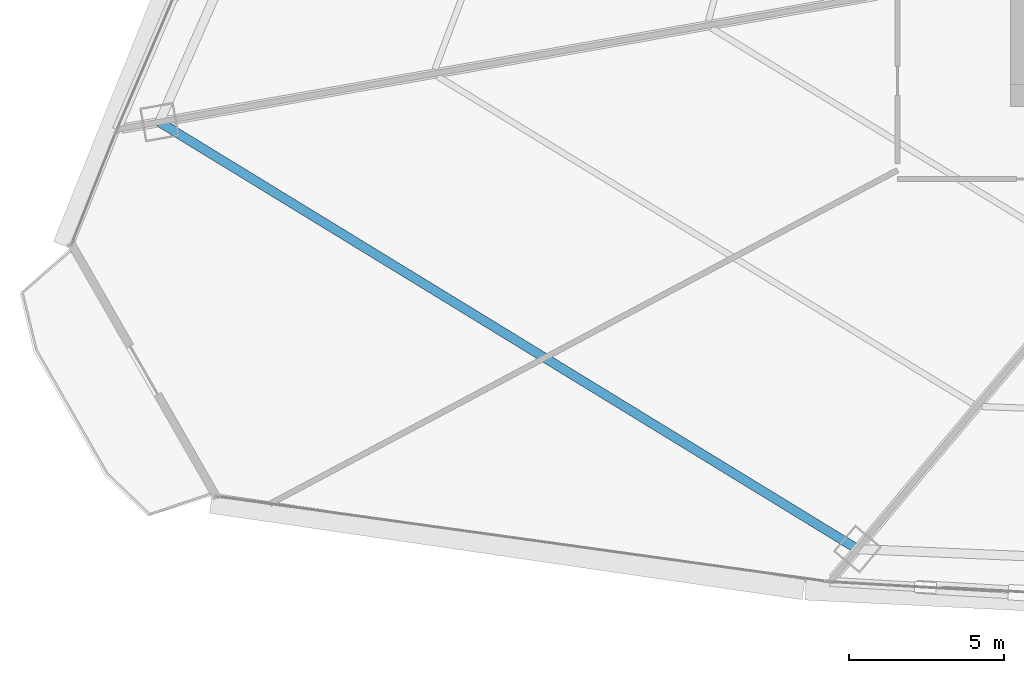
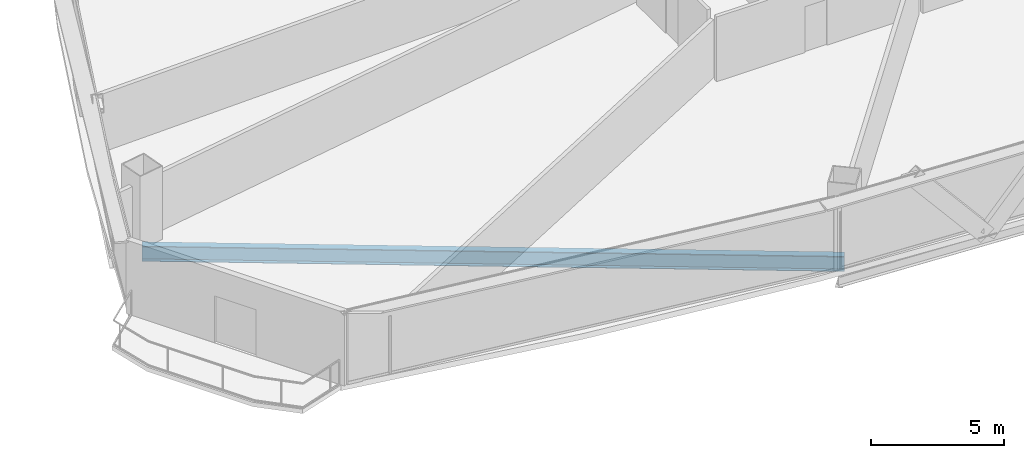
# One storey, part 5 of 37: 1 beam.
"""IFC4 building model written with IfcOpenShell, lengths in metres."""

import ifcopenshell
import ifcopenshell.guid

model = None  # the IFC model being written
_history = None  # IfcOwnerHistory: only IFC2X3 demands one
_inside = {}  # id of a spatial element -> (the spatial element, [elements in it])
_under = {}  # id of a project, library or spatial element -> (it, [spatial elements below it])
_declared = {}  # id of a project -> (the project, [libraries it declares])
_typed = {}  # id of a type object -> (the type object, [elements of that type])
_made_of = {}  # id of a material, layer set ... -> (it, [elements and type objects made of it])


def new_model(schema):
    """Start an empty IFC model of exactly this schema.

    Asked for "IFC4X3", IfcOpenShell would pick the latest addendum, in which some entities
    have other attributes; the version numbers below select the first issue.
    IFC2X3 requires an IfcOwnerHistory on every rooted entity: one is made here for all.
    """
    global model, _history
    if schema == "IFC4X3":
        model = ifcopenshell.file(schema_version=(4, 3, 0, 0))
    else:
        model = ifcopenshell.file(schema=schema)
    _inside.clear()
    _under.clear()
    _declared.clear()
    _typed.clear()
    _made_of.clear()
    _history = None
    if model.schema == "IFC2X3":
        org = make("IfcOrganization", Name="unknown")
        user = make(
            "IfcPersonAndOrganization",
            ThePerson=make("IfcPerson", FamilyName="unknown"),
            TheOrganization=org,
        )
        app = make(
            "IfcApplication",
            ApplicationDeveloper=org,
            Version="unknown",
            ApplicationFullName="unknown",
            ApplicationIdentifier="unknown",
        )
        _history = make(
            "IfcOwnerHistory",
            OwningUser=user,
            OwningApplication=app,
            ChangeAction="ADDED",
            CreationDate=0,
        )
    return model


def make(cls, **values):
    """One entity of the class cls with the attributes given. An attribute that is None is left unset."""
    return model.create_entity(
        cls, **{name: value for name, value in values.items() if value is not None}
    )


def rooted(cls, **values):
    """An entity with a GlobalId (a new one), such as an element, a storey or a relation."""
    return make(cls, GlobalId=ifcopenshell.guid.new(), OwnerHistory=_history, **values)


def si_unit(unit_type, name, prefix=None):
    """IfcSIUnit, for example si_unit("LENGTHUNIT", "METRE", prefix="MILLI")."""
    return make("IfcSIUnit", UnitType=unit_type, Prefix=prefix, Name=name)


def assignment(units):
    """IfcUnitAssignment: the units of a project."""
    return None if units is None else make("IfcUnitAssignment", Units=units)


def point(xyz):
    """IfcCartesianPoint."""
    return None if xyz is None else make("IfcCartesianPoint", Coordinates=xyz)


def direction(xyz):
    """IfcDirection."""
    return None if xyz is None else make("IfcDirection", DirectionRatios=xyz)


def frame(location, z_axis=None, x_axis=None):
    """IfcAxis2Placement3D, a coordinate frame: its origin and axes. An axis left out is left unset."""
    return make(
        "IfcAxis2Placement3D",
        Location=point(location),
        Axis=direction(z_axis),
        RefDirection=direction(x_axis),
    )


def frame_2d(location, x_axis=None):
    """IfcAxis2Placement2D, a coordinate frame in the plane: its origin and x axis."""
    return make(
        "IfcAxis2Placement2D", Location=point(location), RefDirection=direction(x_axis)
    )


def origin():
    """The frame at (0, 0, 0) with its axes left unset."""
    return frame((0.0, 0.0, 0.0))


def origin_2d():
    """The frame at (0, 0) in the plane with its x axis left unset."""
    return frame_2d((0.0, 0.0))


def place(relative_to, where):
    """IfcLocalPlacement: puts the frame where relative to a parent placement (None: the world)."""
    return make(
        "IfcLocalPlacement", PlacementRelTo=relative_to, RelativePlacement=where
    )


def context(
    kind, dimensions, precision=None, world=None, true_north=None, identifier=None
):
    """IfcGeometricRepresentationContext, for example the 3D "Model" context."""
    return make(
        "IfcGeometricRepresentationContext",
        ContextIdentifier=identifier,
        ContextType=kind,
        CoordinateSpaceDimension=dimensions,
        Precision=precision,
        WorldCoordinateSystem=world,
        TrueNorth=true_north,
    )


def subcontext(parent, identifier, kind, view, scale=None):
    """IfcGeometricRepresentationSubContext, for example "Body" below "Model"."""
    return make(
        "IfcGeometricRepresentationSubContext",
        ContextIdentifier=identifier,
        ContextType=kind,
        ParentContext=parent,
        TargetScale=scale,
        TargetView=view,
    )


def project(units=None, contexts=None):
    """IfcProject with its units and contexts."""
    return rooted(
        "IfcProject",
        Name="project",
        RepresentationContexts=contexts,
        UnitsInContext=assignment(units),
    )


def spatial(cls, under=None, at=None, **own):
    """A site, building, storey or space (cls), placed at a placement, below another one or the project."""
    s = rooted(cls, ObjectPlacement=at, **own)
    if under is not None:
        _under.setdefault(under.id(), (under, []))[1].append(s)
    return s


def profile(cls, at=None, kind="AREA", **sizes):
    """A parametric profile (cls). Its sizes go by their IFC names, for example OverallWidth=200.0."""
    return make(cls, ProfileType=kind, Position=at, **sizes)


def i_section(**sizes):
    """IfcIShapeProfileDef."""
    return profile("IfcIShapeProfileDef", **sizes)


def extrude(swept, where, along, depth):
    """IfcExtrudedAreaSolid: the profile swept, set in the frame where, extruded along a direction by depth."""
    return make(
        "IfcExtrudedAreaSolid",
        SweptArea=swept,
        Position=where,
        ExtrudedDirection=direction(along),
        Depth=depth,
    )


def shape(context_of_items, identifier, shape_type, items):
    """IfcShapeRepresentation: the items that make up one representation, for example the "Body"."""
    return make(
        "IfcShapeRepresentation",
        ContextOfItems=context_of_items,
        RepresentationIdentifier=identifier,
        RepresentationType=shape_type,
        Items=items,
    )


def source(mapping_origin, context_of_items, identifier, shape_type, items):
    """IfcRepresentationMap: a shape defined once, which mapped items show again and again."""
    return make(
        "IfcRepresentationMap",
        MappingOrigin=mapping_origin,
        MappedRepresentation=shape(context_of_items, identifier, shape_type, items),
    )


def transform(
    local_origin,
    x_axis=None,
    y_axis=None,
    z_axis=None,
    scale=None,
    scale2=None,
    scale3=None,
    uniform=True,
):
    """IfcCartesianTransformationOperator3D, or its non-uniform kind. x_axis, y_axis, z_axis: its Axis1, 2, 3."""
    if uniform:
        return make(
            "IfcCartesianTransformationOperator3D",
            Axis1=direction(x_axis),
            Axis2=direction(y_axis),
            LocalOrigin=point(local_origin),
            Scale=scale,
            Axis3=direction(z_axis),
        )
    return make(
        "IfcCartesianTransformationOperator3DnonUniform",
        Axis1=direction(x_axis),
        Axis2=direction(y_axis),
        LocalOrigin=point(local_origin),
        Scale=scale,
        Axis3=direction(z_axis),
        Scale2=scale2,
        Scale3=scale3,
    )


def mapped(mapping_source, mapping_target):
    """IfcMappedItem: shows the shape of a source again, moved by a transform."""
    return make(
        "IfcMappedItem", MappingSource=mapping_source, MappingTarget=mapping_target
    )


def material(Name=None, Category=None):
    """IfcMaterial."""
    return make("IfcMaterial", Name=Name, Category=Category)


def material_profile(
    of_material, cross_section, Name=None, Category=None, Priority=None
):
    """IfcMaterialProfile: a cross section and its material."""
    return make(
        "IfcMaterialProfile",
        Name=Name,
        Material=of_material,
        Profile=cross_section,
        Priority=Priority,
        Category=Category,
    )


def profile_set(profiles, Name=None, composite=None):
    """IfcMaterialProfileSet."""
    return make(
        "IfcMaterialProfileSet",
        Name=Name,
        MaterialProfiles=profiles,
        CompositeProfile=composite,
    )


def made_of(thing, what):
    """Note that an element or type object is made of a material, layer set ...; save() writes the relation."""
    if what is not None:
        _made_of.setdefault(what.id(), (what, []))[1].append(thing)
    return thing


def type_object(cls, material=None, **own):
    """A type object (cls), such as IfcWallType, which elements share."""
    return made_of(rooted(cls, **own), material)


def element(
    cls,
    number,
    at=None,
    inside=None,
    cuts=None,
    type_object=None,
    material=None,
    context=None,
    identifier="Body",
    shape_type=None,
    held_by="IfcProductDefinitionShape",
    body=None,
    shapes=None,
    **own,
):
    """One element of the class cls, such as IfcWall. Its Tag is "e" and its number.

    at: its placement. inside: the storey or other place that contains it. cuts: it is an
    opening in that element (IfcRelVoidsElement). A single representation is given by context,
    identifier, shape_type and body (its items); several are given by shapes. held_by: the class
    of the entity that holds the representations. save() writes the other relations.
    """
    e = rooted(cls, Tag="e%d" % number, ObjectPlacement=at, **own)
    if body is not None:
        shapes = [shape(context, identifier, shape_type, body)]
    if shapes is not None:
        e.Representation = make(held_by, Representations=shapes)
    if inside is not None:
        _inside.setdefault(inside.id(), (inside, []))[1].append(e)
    if cuts is not None:
        rooted(
            "IfcRelVoidsElement", RelatingBuildingElement=cuts, RelatedOpeningElement=e
        )
    if type_object is not None:
        _typed.setdefault(type_object.id(), (type_object, []))[1].append(e)
    return made_of(e, material)


def aggregate(whole, parts):
    """IfcRelAggregates: a whole, such as a stair, and the parts it consists of."""
    return rooted("IfcRelAggregates", RelatingObject=whole, RelatedObjects=parts)


def save(model, path):
    """Write the relations noted so far, then the file.

    IfcRelAggregates (storeys below a building ...), IfcRelContainedInSpatialStructure (elements
    in a storey), IfcRelDefinesByType, IfcRelAssociatesMaterial and IfcRelDeclares: one each for
    every whole, place, type object, material and project.
    """
    for whole, parts in _under.values():
        aggregate(whole, parts)
    for where, things in _inside.values():
        rooted(
            "IfcRelContainedInSpatialStructure",
            RelatedElements=things,
            RelatingStructure=where,
        )
    for kind, things in _typed.values():
        rooted("IfcRelDefinesByType", RelatedObjects=things, RelatingType=kind)
    for what, things in _made_of.values():
        rooted("IfcRelAssociatesMaterial", RelatedObjects=things, RelatingMaterial=what)
    for by, libraries in _declared.values():
        rooted("IfcRelDeclares", RelatingContext=by, RelatedDefinitions=libraries)
    model.write(path)


model = new_model("IFC4")

# Units and contexts
model_context = context("Model", 3, precision=1e-05, world=origin(), true_north=direction((0.0, 1.0)))
body_context = subcontext(model_context, "Body", "Model", "MODEL_VIEW")
ifc_project = project(units=[si_unit("LENGTHUNIT", "METRE"), si_unit("AREAUNIT", "SQUARE_METRE"), si_unit("VOLUMEUNIT", "CUBIC_METRE"), si_unit("PLANEANGLEUNIT", "RADIAN"), si_unit("MASSUNIT", "GRAM", prefix="KILO"), si_unit("THERMODYNAMICTEMPERATUREUNIT", "KELVIN"), si_unit("POWERUNIT", "WATT")], contexts=[model_context])

# Site, building, storey
site_placement = place(None, origin())
site = spatial("IfcSite", under=ifc_project, at=site_placement, CompositionType="ELEMENT")
building_placement = place(site_placement, origin())
building = spatial("IfcBuilding", under=site, at=building_placement, Name="Yunzhuo Pagoda Commons", CompositionType="ELEMENT")
storey_placement = place(building_placement, frame((0.0, 0.0, 55.81005859375)))
storey = spatial("IfcBuildingStorey", under=building, at=storey_placement, Name="L14", CompositionType="ELEMENT", Elevation=55.81005859375)

# Beam
ifc_material = material(Name="Structural steel Q355B", Category="steel")
ifc_material_profile = material_profile(ifc_material, i_section(OverallWidth=0.300048828125, OverallDepth=0.699951171875, WebThickness=0.012939453125, FlangeThickness=0.02392578125, at=origin_2d()), Name="Structural steel Q355B")
ifc_profile_set = profile_set([ifc_material_profile], Name="Structural steel Q355B")
beam_type = type_object("IfcBeamType", Name="B-RG1 Beam HN 700x300x13x24", PredefinedType="BEAM", material=ifc_profile_set)
shared_shape = source(origin(), body_context, "Body", "SweptSolid", [
    extrude(i_section(OverallWidth=0.300048828125, OverallDepth=0.699951171875, WebThickness=0.012939453125, FlangeThickness=0.02392578125, at=origin_2d()), origin(), (0.0, 0.0, 1.0), 26.432373046875),
])
beam_placement = place(storey_placement, frame((7.952392578125, 26.638427734375, -0.610107421875), z_axis=(0.853031728928, -0.521859051318, 0.0), x_axis=(0.521859051318, 0.853031728928, 0.0)))
element("IfcBeam", 1, at=beam_placement, inside=storey, type_object=beam_type, Name="L14 column-ring beam 12", PredefinedType="BEAM", context=body_context, shape_type="MappedRepresentation", body=[
    mapped(shared_shape, transform((0.0, 0.0, 0.0), scale=1.0)),
])

save(model, "model.ifc")
